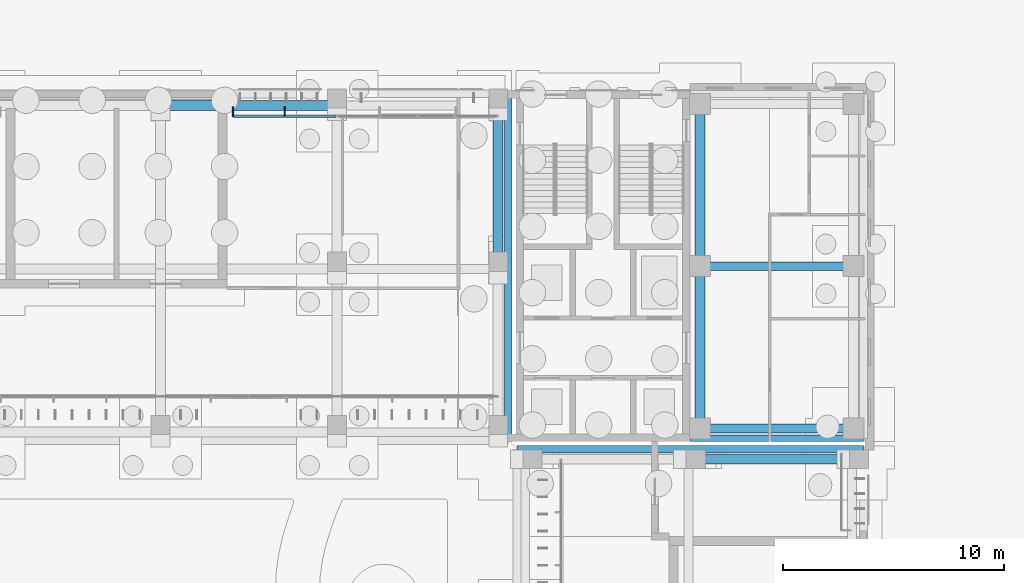
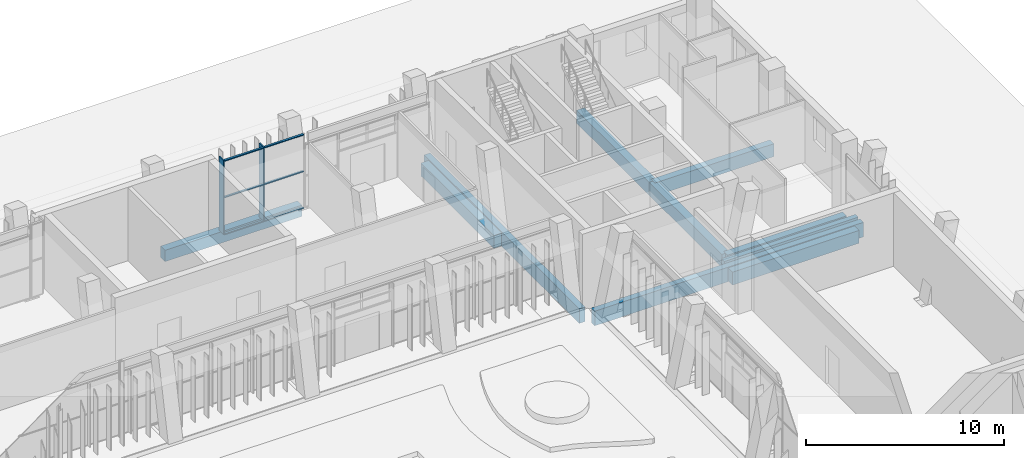
# One storey, part 81 of 144: 10 beams, 8 members, 1 element without a shape of its own.
"""IFC4 building model written with IfcOpenShell, lengths in metres."""

import ifcopenshell
import ifcopenshell.guid

model = None  # the IFC model being written
_history = None  # IfcOwnerHistory: only IFC2X3 demands one
_inside = {}  # id of a spatial element -> (the spatial element, [elements in it])
_under = {}  # id of a project, library or spatial element -> (it, [spatial elements below it])
_declared = {}  # id of a project -> (the project, [libraries it declares])
_typed = {}  # id of a type object -> (the type object, [elements of that type])
_made_of = {}  # id of a material, layer set ... -> (it, [elements and type objects made of it])


def new_model(schema):
    """Start an empty IFC model of exactly this schema.

    Asked for "IFC4X3", IfcOpenShell would pick the latest addendum, in which some entities
    have other attributes; the version numbers below select the first issue.
    IFC2X3 requires an IfcOwnerHistory on every rooted entity: one is made here for all.
    """
    global model, _history
    if schema == "IFC4X3":
        model = ifcopenshell.file(schema_version=(4, 3, 0, 0))
    else:
        model = ifcopenshell.file(schema=schema)
    _inside.clear()
    _under.clear()
    _declared.clear()
    _typed.clear()
    _made_of.clear()
    _history = None
    if model.schema == "IFC2X3":
        org = make("IfcOrganization", Name="unknown")
        user = make(
            "IfcPersonAndOrganization",
            ThePerson=make("IfcPerson", FamilyName="unknown"),
            TheOrganization=org,
        )
        app = make(
            "IfcApplication",
            ApplicationDeveloper=org,
            Version="unknown",
            ApplicationFullName="unknown",
            ApplicationIdentifier="unknown",
        )
        _history = make(
            "IfcOwnerHistory",
            OwningUser=user,
            OwningApplication=app,
            ChangeAction="ADDED",
            CreationDate=0,
        )
    return model


def make(cls, **values):
    """One entity of the class cls with the attributes given. An attribute that is None is left unset."""
    return model.create_entity(
        cls, **{name: value for name, value in values.items() if value is not None}
    )


def rooted(cls, **values):
    """An entity with a GlobalId (a new one), such as an element, a storey or a relation."""
    return make(cls, GlobalId=ifcopenshell.guid.new(), OwnerHistory=_history, **values)


def si_unit(unit_type, name, prefix=None):
    """IfcSIUnit, for example si_unit("LENGTHUNIT", "METRE", prefix="MILLI")."""
    return make("IfcSIUnit", UnitType=unit_type, Prefix=prefix, Name=name)


def assignment(units):
    """IfcUnitAssignment: the units of a project."""
    return None if units is None else make("IfcUnitAssignment", Units=units)


def point(xyz):
    """IfcCartesianPoint."""
    return None if xyz is None else make("IfcCartesianPoint", Coordinates=xyz)


def direction(xyz):
    """IfcDirection."""
    return None if xyz is None else make("IfcDirection", DirectionRatios=xyz)


def frame(location, z_axis=None, x_axis=None):
    """IfcAxis2Placement3D, a coordinate frame: its origin and axes. An axis left out is left unset."""
    return make(
        "IfcAxis2Placement3D",
        Location=point(location),
        Axis=direction(z_axis),
        RefDirection=direction(x_axis),
    )


def frame_2d(location, x_axis=None):
    """IfcAxis2Placement2D, a coordinate frame in the plane: its origin and x axis."""
    return make(
        "IfcAxis2Placement2D", Location=point(location), RefDirection=direction(x_axis)
    )


def origin():
    """The frame at (0, 0, 0) with its axes left unset."""
    return frame((0.0, 0.0, 0.0))


def origin_2d():
    """The frame at (0, 0) in the plane with its x axis left unset."""
    return frame_2d((0.0, 0.0))


def place(relative_to, where):
    """IfcLocalPlacement: puts the frame where relative to a parent placement (None: the world)."""
    return make(
        "IfcLocalPlacement", PlacementRelTo=relative_to, RelativePlacement=where
    )


def context(
    kind, dimensions, precision=None, world=None, true_north=None, identifier=None
):
    """IfcGeometricRepresentationContext, for example the 3D "Model" context."""
    return make(
        "IfcGeometricRepresentationContext",
        ContextIdentifier=identifier,
        ContextType=kind,
        CoordinateSpaceDimension=dimensions,
        Precision=precision,
        WorldCoordinateSystem=world,
        TrueNorth=true_north,
    )


def subcontext(parent, identifier, kind, view, scale=None):
    """IfcGeometricRepresentationSubContext, for example "Body" below "Model"."""
    return make(
        "IfcGeometricRepresentationSubContext",
        ContextIdentifier=identifier,
        ContextType=kind,
        ParentContext=parent,
        TargetScale=scale,
        TargetView=view,
    )


def project(units=None, contexts=None):
    """IfcProject with its units and contexts."""
    return rooted(
        "IfcProject",
        Name="project",
        RepresentationContexts=contexts,
        UnitsInContext=assignment(units),
    )


def spatial(cls, under=None, at=None, **own):
    """A site, building, storey or space (cls), placed at a placement, below another one or the project."""
    s = rooted(cls, ObjectPlacement=at, **own)
    if under is not None:
        _under.setdefault(under.id(), (under, []))[1].append(s)
    return s


def profile(cls, at=None, kind="AREA", **sizes):
    """A parametric profile (cls). Its sizes go by their IFC names, for example OverallWidth=200.0."""
    return make(cls, ProfileType=kind, Position=at, **sizes)


def rectangle(**sizes):
    """IfcRectangleProfileDef."""
    return profile("IfcRectangleProfileDef", **sizes)


def extrude(swept, where, along, depth):
    """IfcExtrudedAreaSolid: the profile swept, set in the frame where, extruded along a direction by depth."""
    return make(
        "IfcExtrudedAreaSolid",
        SweptArea=swept,
        Position=where,
        ExtrudedDirection=direction(along),
        Depth=depth,
    )


def shape(context_of_items, identifier, shape_type, items):
    """IfcShapeRepresentation: the items that make up one representation, for example the "Body"."""
    return make(
        "IfcShapeRepresentation",
        ContextOfItems=context_of_items,
        RepresentationIdentifier=identifier,
        RepresentationType=shape_type,
        Items=items,
    )


def material(Name=None, Category=None):
    """IfcMaterial."""
    return make("IfcMaterial", Name=Name, Category=Category)


def material_profile(
    of_material, cross_section, Name=None, Category=None, Priority=None
):
    """IfcMaterialProfile: a cross section and its material."""
    return make(
        "IfcMaterialProfile",
        Name=Name,
        Material=of_material,
        Profile=cross_section,
        Priority=Priority,
        Category=Category,
    )


def profile_set(profiles, Name=None, composite=None):
    """IfcMaterialProfileSet."""
    return make(
        "IfcMaterialProfileSet",
        Name=Name,
        MaterialProfiles=profiles,
        CompositeProfile=composite,
    )


def made_of(thing, what):
    """Note that an element or type object is made of a material, layer set ...; save() writes the relation."""
    if what is not None:
        _made_of.setdefault(what.id(), (what, []))[1].append(thing)
    return thing


def type_object(cls, material=None, **own):
    """A type object (cls), such as IfcWallType, which elements share."""
    return made_of(rooted(cls, **own), material)


def element(
    cls,
    number,
    at=None,
    inside=None,
    cuts=None,
    type_object=None,
    material=None,
    context=None,
    identifier="Body",
    shape_type=None,
    held_by="IfcProductDefinitionShape",
    body=None,
    shapes=None,
    **own,
):
    """One element of the class cls, such as IfcWall. Its Tag is "e" and its number.

    at: its placement. inside: the storey or other place that contains it. cuts: it is an
    opening in that element (IfcRelVoidsElement). A single representation is given by context,
    identifier, shape_type and body (its items); several are given by shapes. held_by: the class
    of the entity that holds the representations. save() writes the other relations.
    """
    e = rooted(cls, Tag="e%d" % number, ObjectPlacement=at, **own)
    if body is not None:
        shapes = [shape(context, identifier, shape_type, body)]
    if shapes is not None:
        e.Representation = make(held_by, Representations=shapes)
    if inside is not None:
        _inside.setdefault(inside.id(), (inside, []))[1].append(e)
    if cuts is not None:
        rooted(
            "IfcRelVoidsElement", RelatingBuildingElement=cuts, RelatedOpeningElement=e
        )
    if type_object is not None:
        _typed.setdefault(type_object.id(), (type_object, []))[1].append(e)
    return made_of(e, material)


def aggregate(whole, parts):
    """IfcRelAggregates: a whole, such as a stair, and the parts it consists of."""
    return rooted("IfcRelAggregates", RelatingObject=whole, RelatedObjects=parts)


def save(model, path):
    """Write the relations noted so far, then the file.

    IfcRelAggregates (storeys below a building ...), IfcRelContainedInSpatialStructure (elements
    in a storey), IfcRelDefinesByType, IfcRelAssociatesMaterial and IfcRelDeclares: one each for
    every whole, place, type object, material and project.
    """
    for whole, parts in _under.values():
        aggregate(whole, parts)
    for where, things in _inside.values():
        rooted(
            "IfcRelContainedInSpatialStructure",
            RelatedElements=things,
            RelatingStructure=where,
        )
    for kind, things in _typed.values():
        rooted("IfcRelDefinesByType", RelatedObjects=things, RelatingType=kind)
    for what, things in _made_of.values():
        rooted("IfcRelAssociatesMaterial", RelatedObjects=things, RelatingMaterial=what)
    for by, libraries in _declared.values():
        rooted("IfcRelDeclares", RelatingContext=by, RelatedDefinitions=libraries)
    model.write(path)


model = new_model("IFC4")

# Units and contexts
model_context = context("Model", 3, precision=1e-05, world=origin(), true_north=direction((0.0, 1.0)))
body_context = subcontext(model_context, "Body", "Model", "MODEL_VIEW")
ifc_project = project(units=[si_unit("LENGTHUNIT", "METRE"), si_unit("AREAUNIT", "SQUARE_METRE"), si_unit("VOLUMEUNIT", "CUBIC_METRE"), si_unit("PLANEANGLEUNIT", "RADIAN"), si_unit("MASSUNIT", "GRAM", prefix="KILO")], contexts=[model_context])

# Site, building, storey
site_placement = place(None, origin())
site = spatial("IfcSite", under=ifc_project, at=site_placement, CompositionType="ELEMENT")
building_placement = place(site_placement, origin())
building = spatial("IfcBuilding", under=site, at=building_placement, Name="Lantern Court Media Centre", CompositionType="ELEMENT")
storey_placement = place(building_placement, origin())
storey = spatial("IfcBuildingStorey", under=building, at=storey_placement, Name="L00", CompositionType="ELEMENT", Elevation=0.0)

# Curtain wall, members
ifc_material_1 = material(Name="Curtain wall bay 3000")
curtain_wall_type = type_object("IfcCurtainWallType", Name="Curtain wall bay 3000", PredefinedType="NOTDEFINED", material=ifc_material_1)
curtain_wall_placement = place(storey_placement, origin())
curtain_wall = element("IfcCurtainWall", 1, at=curtain_wall_placement, inside=storey, type_object=curtain_wall_type, Name="Curtain wall N outer L00", PredefinedType="NOTDEFINED")
ifc_material_2 = material(Name="Anodised aluminium", Category="aluminium")
ifc_material_profile_1 = material_profile(ifc_material_2, rectangle(XDim=0.449951171875, YDim=0.06005859375, at=origin_2d()), Name="AL 60x450")
ifc_profile_set_1 = profile_set([ifc_material_profile_1], Name="Anodised aluminium")
member_type_1 = type_object("IfcMemberType", Name="Curtain wall mullion 60x450", PredefinedType="MULLION", material=ifc_profile_set_1)
member_1_placement = place(storey_placement, frame((67.280029296875, 111.044921875, 0.0), z_axis=(0.0, 0.0, 1.0), x_axis=(0.0, 1.0, 0.0)))
member_1 = element("IfcMember", 2, at=member_1_placement, type_object=member_type_1, Name="CW1 mullion 1", PredefinedType="MULLION", context=body_context, shape_type="SweptSolid", body=[
    extrude(rectangle(XDim=0.449951171875, YDim=0.06005859375, at=origin_2d()), origin(), (0.0, 0.0, 1.0), 4.580078125),
])
member_2_placement = place(storey_placement, frame((69.625, 111.044921875, 0.0), z_axis=(0.0, 0.0, 1.0), x_axis=(0.0, 1.0, 0.0)))
member_2 = element("IfcMember", 3, at=member_2_placement, type_object=member_type_1, Name="CW1 mullion 2", PredefinedType="MULLION", context=body_context, shape_type="SweptSolid", body=[
    extrude(rectangle(XDim=0.449951171875, YDim=0.06005859375, at=origin_2d()), origin(), (0.0, 0.0, 1.0), 4.580078125),
])
ifc_material_profile_2 = material_profile(ifc_material_2, rectangle(XDim=0.1201171875, YDim=0.06005859375, at=origin_2d()), Name="AL 60x120")
ifc_profile_set_2 = profile_set([ifc_material_profile_2], Name="Anodised aluminium")
member_type_2 = type_object("IfcMemberType", Name="Curtain wall transom 60x120", PredefinedType="USERDEFINED", material=ifc_profile_set_2)
member_3_placement = place(storey_placement, frame((67.31005859375, 110.85009765625, 0.030029296875), z_axis=(1.0, 0.0, 0.0), x_axis=(0.0, 1.0, 0.0)))
member_3 = element("IfcMember", 4, at=member_3_placement, type_object=member_type_2, Name="CW1 transom 1.1", ObjectType="TRANSOM", PredefinedType="USERDEFINED", context=body_context, shape_type="SweptSolid", body=[
    extrude(rectangle(XDim=0.1201171875, YDim=0.06005859375, at=origin_2d()), origin(), (0.0, 0.0, 1.0), 2.284912109375),
])
member_4_placement = place(storey_placement, frame((67.31005859375, 110.85009765625, 2.2900390625), z_axis=(1.0, 0.0, 0.0), x_axis=(0.0, 1.0, 0.0)))
member_4 = element("IfcMember", 5, at=member_4_placement, type_object=member_type_2, Name="CW1 transom 1.2", ObjectType="TRANSOM", PredefinedType="USERDEFINED", context=body_context, shape_type="SweptSolid", body=[
    extrude(rectangle(XDim=0.1201171875, YDim=0.06005859375, at=origin_2d()), origin(), (0.0, 0.0, 1.0), 2.284912109375),
])
member_5_placement = place(storey_placement, frame((67.31005859375, 110.85009765625, 4.550048828125), z_axis=(1.0, 0.0, 0.0), x_axis=(0.0, 1.0, 0.0)))
member_5 = element("IfcMember", 6, at=member_5_placement, type_object=member_type_2, Name="CW1 transom 1.3", ObjectType="TRANSOM", PredefinedType="USERDEFINED", context=body_context, shape_type="SweptSolid", body=[
    extrude(rectangle(XDim=0.1201171875, YDim=0.06005859375, at=origin_2d()), origin(), (0.0, 0.0, 1.0), 2.284912109375),
])
member_6_placement = place(storey_placement, frame((69.655029296875, 110.85009765625, 0.030029296875), z_axis=(1.0, 0.0, 0.0), x_axis=(0.0, 1.0, 0.0)))
member_6 = element("IfcMember", 7, at=member_6_placement, type_object=member_type_2, Name="CW1 transom 2.1", ObjectType="TRANSOM", PredefinedType="USERDEFINED", context=body_context, shape_type="SweptSolid", body=[
    extrude(rectangle(XDim=0.1201171875, YDim=0.06005859375, at=origin_2d()), origin(), (0.0, 0.0, 1.0), 2.284912109375),
])
member_7_placement = place(storey_placement, frame((69.655029296875, 110.85009765625, 2.2900390625), z_axis=(1.0, 0.0, 0.0), x_axis=(0.0, 1.0, 0.0)))
member_7 = element("IfcMember", 8, at=member_7_placement, type_object=member_type_2, Name="CW1 transom 2.2", ObjectType="TRANSOM", PredefinedType="USERDEFINED", context=body_context, shape_type="SweptSolid", body=[
    extrude(rectangle(XDim=0.1201171875, YDim=0.06005859375, at=origin_2d()), origin(), (0.0, 0.0, 1.0), 2.284912109375),
])
member_8_placement = place(storey_placement, frame((69.655029296875, 110.85009765625, 4.550048828125), z_axis=(1.0, 0.0, 0.0), x_axis=(0.0, 1.0, 0.0)))
member_8 = element("IfcMember", 9, at=member_8_placement, type_object=member_type_2, Name="CW1 transom 2.3", ObjectType="TRANSOM", PredefinedType="USERDEFINED", context=body_context, shape_type="SweptSolid", body=[
    extrude(rectangle(XDim=0.1201171875, YDim=0.06005859375, at=origin_2d()), origin(), (0.0, 0.0, 1.0), 2.284912109375),
])
aggregate(curtain_wall, [member_1, member_2, member_3, member_4, member_5, member_6, member_7, member_8])

# Beams
ifc_material_3 = material(Name="Concrete C35", Category="concrete")
ifc_material_profile_3 = material_profile(ifc_material_3, rectangle(XDim=0.300048828125, YDim=0.89990234375, at=origin_2d()), Name="RC 300x900")
ifc_profile_set_3 = profile_set([ifc_material_profile_3], Name="Concrete C35")
beam_type_1 = type_object("IfcBeamType", Name="RC BEAM 300x900", PredefinedType="BEAM", material=ifc_profile_set_3)
beam_1_placement = place(storey_placement, frame((88.02001953125, 96.25, -0.449951171875), z_axis=(1.0, 0.0, 0.0), x_axis=(0.0, 1.0, 0.0)))
element("IfcBeam", 10, at=beam_1_placement, inside=storey, type_object=beam_type_1, Name="EB-NE-L00-S", PredefinedType="BEAM", context=body_context, shape_type="SweptSolid", body=[
    extrude(rectangle(XDim=0.300048828125, YDim=0.89990234375, at=origin_2d()), origin(), (0.0, 0.0, 1.0), 7.830078125),
])
ifc_material_profile_4 = material_profile(ifc_material_3, rectangle(XDim=0.35009765625, YDim=0.89990234375, at=origin_2d()), Name="RC 350x900")
ifc_profile_set_4 = profile_set([ifc_material_profile_4], Name="Concrete C35")
beam_type_2 = type_object("IfcBeamType", Name="RC BEAM 350x900", PredefinedType="BEAM", material=ifc_profile_set_4)
for number, where, z_axis, x_axis, name in (
    (11, (79.75, 96.14990234375, -0.449951171875), (0.0, 1.0, 0.0), (-1.0, 0.0, 0.0), "EB-N-L00-D"),
    (12, (80.14990234375, 95.75, -0.449951171875), (1.0, 0.0, 0.0), (0.0, 1.0, 0.0), "EB-E-L00-D"),
):
    element("IfcBeam", number, at=place(storey_placement, frame(where, z_axis=z_axis, x_axis=x_axis)), inside=storey, type_object=beam_type_2, Name=name, PredefinedType="BEAM", context=body_context, shape_type="SweptSolid", body=[
        extrude(rectangle(XDim=0.35009765625, YDim=0.89990234375, at=origin_2d()), origin(), (0.0, 0.0, 1.0), 15.7001953125),
    ])
ifc_material_profile_5 = material_profile(ifc_material_3, rectangle(XDim=0.39990234375, YDim=0.800048828125, at=origin_2d()), Name="RC 400x800")
ifc_profile_set_5 = profile_set([ifc_material_profile_5], Name="Concrete C35")
beam_type_3 = type_object("IfcBeamType", Name="RC BEAM 400x800", PredefinedType="BEAM", material=ifc_profile_set_5)
for number, where, z_axis, x_axis, name in (
    (13, (88.449951171875, 96.699951171875, -0.39990234375), (1.0, 0.0, 0.0), (0.0, 1.0, 0.0), "BB-NE-L00-Y0-96"),
    (14, (88.449951171875, 104.050048828125, -0.39990234375), (1.0, 0.0, 0.0), (0.0, 1.0, 0.0), "BB-NE-L00-Y0-104"),
):
    element("IfcBeam", number, at=place(storey_placement, frame(where, z_axis=z_axis, x_axis=x_axis)), inside=storey, type_object=beam_type_3, Name=name, PredefinedType="BEAM", context=body_context, shape_type="SweptSolid", body=[
        extrude(rectangle(XDim=0.39990234375, YDim=0.800048828125, at=origin_2d()), origin(), (0.0, 0.0, 1.0), 6.949951171875),
    ])
ifc_material_profile_6 = material_profile(ifc_material_3, rectangle(XDim=0.449951171875, YDim=0.699951171875, at=origin_2d()), Name="RC 450x700")
ifc_profile_set_6 = profile_set([ifc_material_profile_6], Name="Concrete C35")
beam_type_4 = type_object("IfcBeamType", Name="RC BEAM 450x700", PredefinedType="BEAM", material=ifc_profile_set_6)
beam_2_placement = place(storey_placement, frame((64.0, 111.3271484375, -0.35009765625), z_axis=(1.0, 0.0, 0.0), x_axis=(0.0, 1.0, 0.0)))
element("IfcBeam", 15, at=beam_2_placement, inside=storey, type_object=beam_type_4, Name="LB-N-L00-2-5", PredefinedType="BEAM", context=body_context, shape_type="SweptSolid", body=[
    extrude(rectangle(XDim=0.449951171875, YDim=0.699951171875, at=origin_2d()), origin(), (0.0, 0.0, 1.0), 8.0),
])
ifc_material_profile_7 = material_profile(ifc_material_3, rectangle(XDim=0.449951171875, YDim=0.800048828125, at=origin_2d()), Name="RC 450x800")
ifc_profile_set_7 = profile_set([ifc_material_profile_7], Name="Concrete C35")
beam_type_5 = type_object("IfcBeamType", Name="RC BEAM 450x800", PredefinedType="BEAM", material=ifc_profile_set_7)
beam_3_placement = place(storey_placement, frame((88.449951171875, 96.699951171875, -0.39990234375), z_axis=(0.0, 1.0, 0.0), x_axis=(-1.0, 0.0, 0.0)))
element("IfcBeam", 16, at=beam_3_placement, inside=storey, type_object=beam_type_5, Name="BB-NE-L00-X0-88", PredefinedType="BEAM", context=body_context, shape_type="SweptSolid", body=[
    extrude(rectangle(XDim=0.449951171875, YDim=0.800048828125, at=origin_2d()), origin(), (0.0, 0.0, 1.0), 7.35009765625),
])
beam_4_placement = place(storey_placement, frame((88.449951171875, 104.050048828125, -0.39990234375), z_axis=(0.0, 1.0, 0.0), x_axis=(-1.0, 0.0, 0.0)))
element("IfcBeam", 17, at=beam_4_placement, inside=storey, type_object=beam_type_5, Name="BB-NE-L00-X1-88", PredefinedType="BEAM", context=body_context, shape_type="SweptSolid", body=[
    extrude(rectangle(XDim=0.449951171875, YDim=0.800048828125, at=origin_2d()), origin(), (0.0, 0.0, 1.0), 7.349853515625),
])
for number, where, z_axis, x_axis, name in (
    (18, (79.300048828125, 103.916748046875, -0.39990234375), (0.0, 1.0, 0.0), (-1.0, 0.0, 0.0), "TB-N-L00-7-2"),
    (19, (87.916748046875, 95.300048828125, -0.39990234375), (1.0, 0.0, 0.0), (0.0, 1.0, 0.0), "TB-E-L00-4-2"),
):
    element("IfcBeam", number, at=place(storey_placement, frame(where, z_axis=z_axis, x_axis=x_axis)), inside=storey, type_object=beam_type_5, Name=name, PredefinedType="BEAM", context=body_context, shape_type="SweptSolid", body=[
        extrude(rectangle(XDim=0.449951171875, YDim=0.800048828125, at=origin_2d()), origin(), (0.0, 0.0, 1.0), 7.39990234375),
    ])

save(model, "model.ifc")
